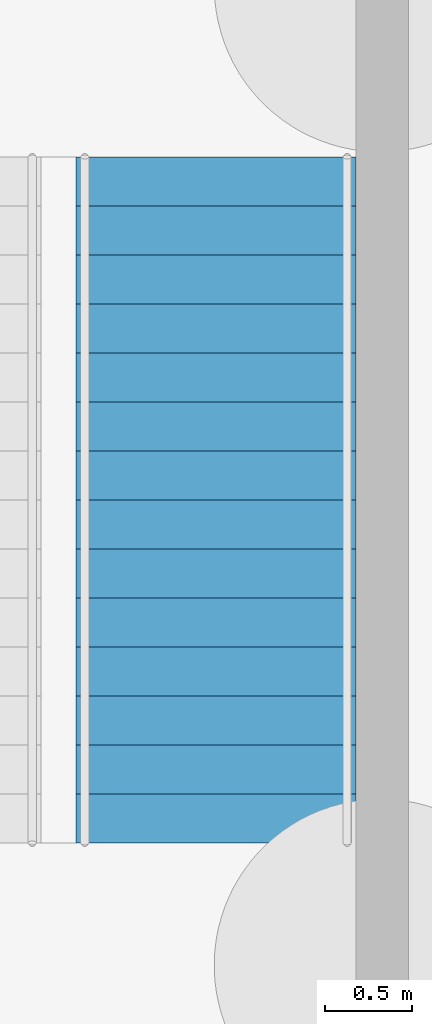
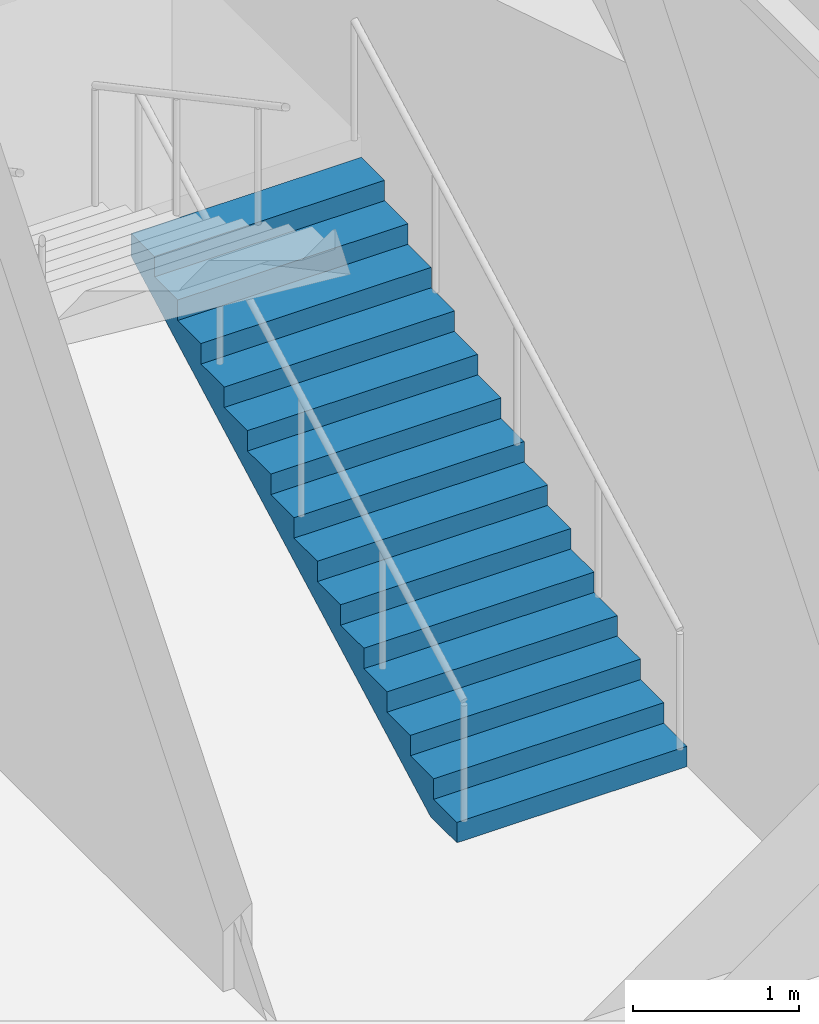
# One storey, part 106 of 113: 1 stair flight, 1 element without a shape of its own.
"""IFC4 building model written with IfcOpenShell, lengths in metres."""

from ifc_helpers import new_model, si_unit, direction, frame, origin, place, context, subcontext, project, spatial, triangles, material, type_object, element, aggregate, save


model = new_model("IFC4")

# Units and contexts
model_context = context("Model", 3, precision=1e-05, world=origin(), true_north=direction((0.0, 1.0)))
body_context = subcontext(model_context, "Body", "Model", "MODEL_VIEW")
ifc_project = project(units=[si_unit("LENGTHUNIT", "METRE"), si_unit("AREAUNIT", "SQUARE_METRE"), si_unit("VOLUMEUNIT", "CUBIC_METRE"), si_unit("PLANEANGLEUNIT", "RADIAN"), si_unit("MASSUNIT", "GRAM", prefix="KILO")], contexts=[model_context])

# Site, building, storey
site_placement = place(None, origin())
site = spatial("IfcSite", under=ifc_project, at=site_placement, CompositionType="ELEMENT")
building_placement = place(site_placement, origin())
building = spatial("IfcBuilding", under=site, at=building_placement, Name="Hakoniwa Tower and Hamabe Station Hall", CompositionType="ELEMENT")
storey_placement = place(building_placement, origin())
storey = spatial("IfcBuildingStorey", under=building, at=storey_placement, Name="L01", CompositionType="ELEMENT", Elevation=0.0)

# Stair, stair flight
ifc_material_1 = material(Name="Concrete C40", Category="concrete")
stair_type = type_object("IfcStairType", Name="STAIR 1600 15X150", PredefinedType="HALF_TURN_STAIR", material=ifc_material_1)
stair_placement = place(storey_placement, origin())
stair = element("IfcStair", 1, at=stair_placement, inside=storey, type_object=stair_type, Name="Escape stair SS2 L01", PredefinedType="HALF_TURN_STAIR")
ifc_material_2 = material(Name="Concrete C40", Category="concrete")
stair_flight_type = type_object("IfcStairFlightType", Name="STAIR FLIGHT 1600", PredefinedType="STRAIGHT", material=ifc_material_2)
stair_flight_placement = place(storey_placement, frame((167.64990234375, 16.89990234375, 0.0), z_axis=(0.0, 0.0, 1.0), x_axis=(0.0, 1.0, 0.0)))
stair_flight = element("IfcStairFlight", 2, at=stair_flight_placement, type_object=stair_flight_type, Name="SS2 flight 1", NumberOfRisers=15, NumberOfTreads=14, PredefinedType="STRAIGHT", RiserHeight=0.15, TreadLength=0.28, context=body_context, shape_type="Tessellation", body=[
    triangles([(0.0, 0.800048828125, 0.0), (0.280029296875, 0.800048828125, 0.0), (0.3173828125, 0.800048828125, 0.0), (0.56005859375, 0.800048828125, 0.1298828125), (0.840087890625, 0.800048828125, 0.280029296875), (1.1201171875, 0.800048828125, 0.429931640625), (1.39990234375, 0.800048828125, 0.579833984375), (1.679931640625, 0.800048828125, 0.72998046875), (1.9599609375, 0.800048828125, 0.8798828125), (2.239990234375, 0.800048828125, 1.030029296875), (2.52001953125, 0.800048828125, 1.179931640625), (2.800048828125, 0.800048828125, 1.329833984375), (3.080078125, 0.800048828125, 1.47998046875), (3.360107421875, 0.800048828125, 1.6298828125), (3.639892578125, 0.800048828125, 1.780029296875), (3.919921875, 0.800048828125, 1.929931640625), (3.919921875, 0.800048828125, 2.10009765625), (3.639892578125, 0.800048828125, 2.10009765625), (3.639892578125, 0.800048828125, 1.949951171875), (3.360107421875, 0.800048828125, 1.949951171875), (3.360107421875, 0.800048828125, 1.800048828125), (3.080078125, 0.800048828125, 1.800048828125), (3.080078125, 0.800048828125, 1.64990234375), (2.800048828125, 0.800048828125, 1.64990234375), (2.800048828125, 0.800048828125, 1.5), (2.52001953125, 0.800048828125, 1.5), (2.52001953125, 0.800048828125, 1.35009765625), (2.239990234375, 0.800048828125, 1.35009765625), (2.239990234375, 0.800048828125, 1.199951171875), (1.9599609375, 0.800048828125, 1.199951171875), (1.9599609375, 0.800048828125, 1.050048828125), (1.679931640625, 0.800048828125, 1.050048828125), (1.679931640625, 0.800048828125, 0.89990234375), (1.39990234375, 0.800048828125, 0.89990234375), (1.39990234375, 0.800048828125, 0.75), (1.1201171875, 0.800048828125, 0.75), (1.1201171875, 0.800048828125, 0.60009765625), (0.840087890625, 0.800048828125, 0.60009765625), (0.840087890625, 0.800048828125, 0.449951171875), (0.56005859375, 0.800048828125, 0.449951171875), (0.56005859375, 0.800048828125, 0.300048828125), (0.3173828125, 0.800048828125, 0.300048828125), (0.280029296875, 0.800048828125, 0.300048828125), (0.280029296875, 0.800048828125, 0.14990234375), (0.0, 0.800048828125, 0.14990234375), (0.0, 0.06005859375, 0.0), (0.280029296875, 0.06005859375, 0.0), (0.3173828125, 0.06005859375, 0.0), (0.56005859375, 0.06005859375, 0.1298828125), (0.840087890625, 0.06005859375, 0.280029296875), (1.1201171875, 0.06005859375, 0.429931640625), (1.39990234375, 0.06005859375, 0.579833984375), (1.679931640625, 0.06005859375, 0.72998046875), (1.9599609375, 0.06005859375, 0.8798828125), (2.239990234375, 0.06005859375, 1.030029296875), (2.52001953125, 0.06005859375, 1.179931640625), (2.800048828125, 0.06005859375, 1.329833984375), (3.080078125, 0.06005859375, 1.47998046875), (3.360107421875, 0.06005859375, 1.6298828125), (3.639892578125, 0.06005859375, 1.780029296875), (3.919921875, 0.06005859375, 1.929931640625), (3.919921875, 0.06005859375, 2.10009765625), (3.639892578125, 0.06005859375, 2.10009765625), (3.639892578125, 0.06005859375, 1.949951171875), (3.360107421875, 0.06005859375, 1.949951171875), (3.360107421875, 0.06005859375, 1.800048828125), (3.080078125, 0.06005859375, 1.800048828125), (3.080078125, 0.06005859375, 1.64990234375), (2.800048828125, 0.06005859375, 1.64990234375), (2.800048828125, 0.06005859375, 1.5), (2.52001953125, 0.06005859375, 1.5), (2.52001953125, 0.06005859375, 1.35009765625), (2.239990234375, 0.06005859375, 1.35009765625), (2.239990234375, 0.06005859375, 1.199951171875), (1.9599609375, 0.06005859375, 1.199951171875), (1.9599609375, 0.06005859375, 1.050048828125), (1.679931640625, 0.06005859375, 1.050048828125), (1.679931640625, 0.06005859375, 0.89990234375), (1.39990234375, 0.06005859375, 0.89990234375), (1.39990234375, 0.06005859375, 0.75), (1.1201171875, 0.06005859375, 0.75), (1.1201171875, 0.06005859375, 0.60009765625), (0.840087890625, 0.06005859375, 0.60009765625), (0.840087890625, 0.06005859375, 0.449951171875), (0.56005859375, 0.06005859375, 0.449951171875), (0.56005859375, 0.06005859375, 0.300048828125), (0.3173828125, 0.06005859375, 0.300048828125), (0.280029296875, 0.06005859375, 0.300048828125), (0.280029296875, 0.06005859375, 0.14990234375), (0.0, 0.06005859375, 0.14990234375), (0.0, 0.02001953125, 0.0), (0.280029296875, 0.02001953125, 0.0), (0.3173828125, 0.02001953125, 0.0), (0.56005859375, 0.02001953125, 0.1298828125), (0.840087890625, 0.02001953125, 0.280029296875), (1.1201171875, 0.02001953125, 0.429931640625), (1.39990234375, 0.02001953125, 0.579833984375), (1.679931640625, 0.02001953125, 0.72998046875), (1.9599609375, 0.02001953125, 0.8798828125), (2.239990234375, 0.02001953125, 1.030029296875), (2.52001953125, 0.02001953125, 1.179931640625), (2.800048828125, 0.02001953125, 1.329833984375), (3.080078125, 0.02001953125, 1.47998046875), (3.360107421875, 0.02001953125, 1.6298828125), (3.639892578125, 0.02001953125, 1.780029296875), (3.919921875, 0.02001953125, 1.929931640625), (3.919921875, 0.02001953125, 2.10009765625), (3.639892578125, 0.02001953125, 2.10009765625), (3.639892578125, 0.02001953125, 1.949951171875), (3.360107421875, 0.02001953125, 1.949951171875), (3.360107421875, 0.02001953125, 1.800048828125), (3.080078125, 0.02001953125, 1.800048828125), (3.080078125, 0.02001953125, 1.64990234375), (2.800048828125, 0.02001953125, 1.64990234375), (2.800048828125, 0.02001953125, 1.5), (2.52001953125, 0.02001953125, 1.5), (2.52001953125, 0.02001953125, 1.35009765625), (2.239990234375, 0.02001953125, 1.35009765625), (2.239990234375, 0.02001953125, 1.199951171875), (1.9599609375, 0.02001953125, 1.199951171875), (1.9599609375, 0.02001953125, 1.050048828125), (1.679931640625, 0.02001953125, 1.050048828125), (1.679931640625, 0.02001953125, 0.89990234375), (1.39990234375, 0.02001953125, 0.89990234375), (1.39990234375, 0.02001953125, 0.75), (1.1201171875, 0.02001953125, 0.75), (1.1201171875, 0.02001953125, 0.60009765625), (0.840087890625, 0.02001953125, 0.60009765625), (0.840087890625, 0.02001953125, 0.449951171875), (0.56005859375, 0.02001953125, 0.449951171875), (0.56005859375, 0.02001953125, 0.300048828125), (0.3173828125, 0.02001953125, 0.300048828125), (0.280029296875, 0.02001953125, 0.300048828125), (0.280029296875, 0.02001953125, 0.14990234375), (0.0, 0.02001953125, 0.14990234375), (0.0, -0.02001953125, 0.0), (0.280029296875, -0.02001953125, 0.0), (0.3173828125, -0.02001953125, 0.0), (0.56005859375, -0.02001953125, 0.1298828125), (0.840087890625, -0.02001953125, 0.280029296875), (1.1201171875, -0.02001953125, 0.429931640625), (1.39990234375, -0.02001953125, 0.579833984375), (1.679931640625, -0.02001953125, 0.72998046875), (1.9599609375, -0.02001953125, 0.8798828125), (2.239990234375, -0.02001953125, 1.030029296875), (2.52001953125, -0.02001953125, 1.179931640625), (2.800048828125, -0.02001953125, 1.329833984375), (3.080078125, -0.02001953125, 1.47998046875), (3.360107421875, -0.02001953125, 1.6298828125), (3.639892578125, -0.02001953125, 1.780029296875), (3.919921875, -0.02001953125, 1.929931640625), (3.919921875, -0.02001953125, 2.10009765625), (3.639892578125, -0.02001953125, 2.10009765625), (3.639892578125, -0.02001953125, 1.949951171875), (3.360107421875, -0.02001953125, 1.949951171875), (3.360107421875, -0.02001953125, 1.800048828125), (3.080078125, -0.02001953125, 1.800048828125), (3.080078125, -0.02001953125, 1.64990234375), (2.800048828125, -0.02001953125, 1.64990234375), (2.800048828125, -0.02001953125, 1.5), (2.52001953125, -0.02001953125, 1.5), (2.52001953125, -0.02001953125, 1.35009765625), (2.239990234375, -0.02001953125, 1.35009765625), (2.239990234375, -0.02001953125, 1.199951171875), (1.9599609375, -0.02001953125, 1.199951171875), (1.9599609375, -0.02001953125, 1.050048828125), (1.679931640625, -0.02001953125, 1.050048828125), (1.679931640625, -0.02001953125, 0.89990234375), (1.39990234375, -0.02001953125, 0.89990234375), (1.39990234375, -0.02001953125, 0.75), (1.1201171875, -0.02001953125, 0.75), (1.1201171875, -0.02001953125, 0.60009765625), (0.840087890625, -0.02001953125, 0.60009765625), (0.840087890625, -0.02001953125, 0.449951171875), (0.56005859375, -0.02001953125, 0.449951171875), (0.56005859375, -0.02001953125, 0.300048828125), (0.3173828125, -0.02001953125, 0.300048828125), (0.280029296875, -0.02001953125, 0.300048828125), (0.280029296875, -0.02001953125, 0.14990234375), (0.0, -0.02001953125, 0.14990234375), (0.0, -0.06005859375, 0.0), (0.280029296875, -0.06005859375, 0.0), (0.3173828125, -0.06005859375, 0.0), (0.56005859375, -0.06005859375, 0.1298828125), (0.840087890625, -0.06005859375, 0.280029296875), (1.1201171875, -0.06005859375, 0.429931640625), (1.39990234375, -0.06005859375, 0.579833984375), (1.679931640625, -0.06005859375, 0.72998046875), (1.9599609375, -0.06005859375, 0.8798828125), (2.239990234375, -0.06005859375, 1.030029296875), (2.52001953125, -0.06005859375, 1.179931640625), (2.800048828125, -0.06005859375, 1.329833984375), (3.080078125, -0.06005859375, 1.47998046875), (3.360107421875, -0.06005859375, 1.6298828125), (3.639892578125, -0.06005859375, 1.780029296875), (3.919921875, -0.06005859375, 1.929931640625), (3.919921875, -0.06005859375, 2.10009765625), (3.639892578125, -0.06005859375, 2.10009765625), (3.639892578125, -0.06005859375, 1.949951171875), (3.360107421875, -0.06005859375, 1.949951171875), (3.360107421875, -0.06005859375, 1.800048828125), (3.080078125, -0.06005859375, 1.800048828125), (3.080078125, -0.06005859375, 1.64990234375), (2.800048828125, -0.06005859375, 1.64990234375), (2.800048828125, -0.06005859375, 1.5), (2.52001953125, -0.06005859375, 1.5), (2.52001953125, -0.06005859375, 1.35009765625), (2.239990234375, -0.06005859375, 1.35009765625), (2.239990234375, -0.06005859375, 1.199951171875), (1.9599609375, -0.06005859375, 1.199951171875), (1.9599609375, -0.06005859375, 1.050048828125), (1.679931640625, -0.06005859375, 1.050048828125), (1.679931640625, -0.06005859375, 0.89990234375), (1.39990234375, -0.06005859375, 0.89990234375), (1.39990234375, -0.06005859375, 0.75), (1.1201171875, -0.06005859375, 0.75), (1.1201171875, -0.06005859375, 0.60009765625), (0.840087890625, -0.06005859375, 0.60009765625), (0.840087890625, -0.06005859375, 0.449951171875), (0.56005859375, -0.06005859375, 0.449951171875), (0.56005859375, -0.06005859375, 0.300048828125), (0.3173828125, -0.06005859375, 0.300048828125), (0.280029296875, -0.06005859375, 0.300048828125), (0.280029296875, -0.06005859375, 0.14990234375), (0.0, -0.06005859375, 0.14990234375), (0.0, -0.800048828125, 0.0), (0.280029296875, -0.800048828125, 0.0), (0.3173828125, -0.800048828125, 0.0), (0.56005859375, -0.800048828125, 0.1298828125), (0.840087890625, -0.800048828125, 0.280029296875), (1.1201171875, -0.800048828125, 0.429931640625), (1.39990234375, -0.800048828125, 0.579833984375), (1.679931640625, -0.800048828125, 0.72998046875), (1.9599609375, -0.800048828125, 0.8798828125), (2.239990234375, -0.800048828125, 1.030029296875), (2.52001953125, -0.800048828125, 1.179931640625), (2.800048828125, -0.800048828125, 1.329833984375), (3.080078125, -0.800048828125, 1.47998046875), (3.360107421875, -0.800048828125, 1.6298828125), (3.639892578125, -0.800048828125, 1.780029296875), (3.919921875, -0.800048828125, 1.929931640625), (3.919921875, -0.800048828125, 2.10009765625), (3.639892578125, -0.800048828125, 2.10009765625), (3.639892578125, -0.800048828125, 1.949951171875), (3.360107421875, -0.800048828125, 1.949951171875), (3.360107421875, -0.800048828125, 1.800048828125), (3.080078125, -0.800048828125, 1.800048828125), (3.080078125, -0.800048828125, 1.64990234375), (2.800048828125, -0.800048828125, 1.64990234375), (2.800048828125, -0.800048828125, 1.5), (2.52001953125, -0.800048828125, 1.5), (2.52001953125, -0.800048828125, 1.35009765625), (2.239990234375, -0.800048828125, 1.35009765625), (2.239990234375, -0.800048828125, 1.199951171875), (1.9599609375, -0.800048828125, 1.199951171875), (1.9599609375, -0.800048828125, 1.050048828125), (1.679931640625, -0.800048828125, 1.050048828125), (1.679931640625, -0.800048828125, 0.89990234375), (1.39990234375, -0.800048828125, 0.89990234375), (1.39990234375, -0.800048828125, 0.75), (1.1201171875, -0.800048828125, 0.75), (1.1201171875, -0.800048828125, 0.60009765625), (0.840087890625, -0.800048828125, 0.60009765625), (0.840087890625, -0.800048828125, 0.449951171875), (0.56005859375, -0.800048828125, 0.449951171875), (0.56005859375, -0.800048828125, 0.300048828125), (0.3173828125, -0.800048828125, 0.300048828125), (0.280029296875, -0.800048828125, 0.300048828125), (0.280029296875, -0.800048828125, 0.14990234375), (0.0, -0.800048828125, 0.14990234375)], [[2, 45, 44], [227, 269, 270], [2, 1, 45], [227, 270, 226], [3, 43, 42], [228, 267, 268], [3, 44, 43], [228, 268, 269], [3, 2, 44], [228, 269, 227], [4, 42, 41], [229, 266, 267], [4, 3, 42], [229, 267, 228], [5, 40, 39], [230, 264, 265], [5, 41, 40], [230, 265, 266], [5, 4, 41], [230, 266, 229], [6, 38, 37], [231, 262, 263], [6, 39, 38], [231, 263, 264], [6, 5, 39], [231, 264, 230], [7, 36, 35], [232, 260, 261], [7, 37, 36], [232, 261, 262], [7, 6, 37], [232, 262, 231], [8, 34, 33], [233, 258, 259], [8, 35, 34], [233, 259, 260], [8, 7, 35], [233, 260, 232], [9, 32, 31], [234, 256, 257], [9, 33, 32], [234, 257, 258], [9, 8, 33], [234, 258, 233], [10, 30, 29], [235, 254, 255], [10, 31, 30], [235, 255, 256], [10, 9, 31], [235, 256, 234], [11, 28, 27], [236, 252, 253], [11, 29, 28], [236, 253, 254], [11, 10, 29], [236, 254, 235], [12, 26, 25], [237, 250, 251], [12, 27, 26], [237, 251, 252], [12, 11, 27], [237, 252, 236], [13, 24, 23], [238, 248, 249], [13, 25, 24], [238, 249, 250], [13, 12, 25], [238, 250, 237], [14, 22, 21], [239, 246, 247], [14, 23, 22], [239, 247, 248], [14, 13, 23], [239, 248, 238], [15, 20, 19], [240, 244, 245], [15, 21, 20], [240, 245, 246], [15, 14, 21], [240, 246, 239], [16, 18, 17], [241, 242, 243], [16, 19, 18], [241, 243, 244], [16, 15, 19], [241, 244, 240], [1, 2, 47], [1, 47, 46], [46, 47, 92], [46, 92, 91], [91, 92, 137], [91, 137, 136], [136, 137, 182], [136, 182, 181], [181, 182, 227], [181, 227, 226], [2, 3, 48], [2, 48, 47], [47, 48, 93], [47, 93, 92], [92, 93, 138], [92, 138, 137], [137, 138, 183], [137, 183, 182], [182, 183, 228], [182, 228, 227], [3, 4, 49], [3, 49, 48], [48, 49, 94], [48, 94, 93], [93, 94, 139], [93, 139, 138], [138, 139, 184], [138, 184, 183], [183, 184, 229], [183, 229, 228], [4, 5, 50], [4, 50, 49], [49, 50, 95], [49, 95, 94], [94, 95, 140], [94, 140, 139], [139, 140, 185], [139, 185, 184], [184, 185, 230], [184, 230, 229], [5, 6, 51], [5, 51, 50], [50, 51, 96], [50, 96, 95], [95, 96, 141], [95, 141, 140], [140, 141, 186], [140, 186, 185], [185, 186, 231], [185, 231, 230], [6, 7, 52], [6, 52, 51], [51, 52, 97], [51, 97, 96], [96, 97, 142], [96, 142, 141], [141, 142, 187], [141, 187, 186], [186, 187, 232], [186, 232, 231], [7, 8, 53], [7, 53, 52], [52, 53, 98], [52, 98, 97], [97, 98, 143], [97, 143, 142], [142, 143, 188], [142, 188, 187], [187, 188, 233], [187, 233, 232], [8, 9, 54], [8, 54, 53], [53, 54, 99], [53, 99, 98], [98, 99, 144], [98, 144, 143], [143, 144, 189], [143, 189, 188], [188, 189, 234], [188, 234, 233], [9, 10, 55], [9, 55, 54], [54, 55, 100], [54, 100, 99], [99, 100, 145], [99, 145, 144], [144, 145, 190], [144, 190, 189], [189, 190, 235], [189, 235, 234], [10, 11, 56], [10, 56, 55], [55, 56, 101], [55, 101, 100], [100, 101, 146], [100, 146, 145], [145, 146, 191], [145, 191, 190], [190, 191, 236], [190, 236, 235], [11, 12, 57], [11, 57, 56], [56, 57, 102], [56, 102, 101], [101, 102, 147], [101, 147, 146], [146, 147, 192], [146, 192, 191], [191, 192, 237], [191, 237, 236], [12, 13, 58], [12, 58, 57], [57, 58, 103], [57, 103, 102], [102, 103, 148], [102, 148, 147], [147, 148, 193], [147, 193, 192], [192, 193, 238], [192, 238, 237], [13, 14, 59], [13, 59, 58], [58, 59, 104], [58, 104, 103], [103, 104, 149], [103, 149, 148], [148, 149, 194], [148, 194, 193], [193, 194, 239], [193, 239, 238], [14, 15, 60], [14, 60, 59], [59, 60, 105], [59, 105, 104], [104, 105, 150], [104, 150, 149], [149, 150, 195], [149, 195, 194], [194, 195, 240], [194, 240, 239], [15, 16, 61], [15, 61, 60], [60, 61, 106], [60, 106, 105], [105, 106, 151], [105, 151, 150], [150, 151, 196], [150, 196, 195], [195, 196, 241], [195, 241, 240], [16, 17, 62], [16, 62, 61], [61, 62, 107], [61, 107, 106], [106, 107, 152], [106, 152, 151], [151, 152, 197], [151, 197, 196], [196, 197, 242], [196, 242, 241], [17, 18, 63], [17, 63, 62], [62, 63, 108], [62, 108, 107], [107, 108, 153], [107, 153, 152], [152, 153, 198], [152, 198, 197], [197, 198, 243], [197, 243, 242], [18, 19, 64], [18, 64, 63], [63, 64, 109], [63, 109, 108], [108, 109, 154], [108, 154, 153], [153, 154, 199], [153, 199, 198], [198, 199, 244], [198, 244, 243], [19, 20, 65], [19, 65, 64], [64, 65, 110], [64, 110, 109], [109, 110, 155], [109, 155, 154], [154, 155, 200], [154, 200, 199], [199, 200, 245], [199, 245, 244], [20, 21, 66], [20, 66, 65], [65, 66, 111], [65, 111, 110], [110, 111, 156], [110, 156, 155], [155, 156, 201], [155, 201, 200], [200, 201, 246], [200, 246, 245], [21, 22, 67], [21, 67, 66], [66, 67, 112], [66, 112, 111], [111, 112, 157], [111, 157, 156], [156, 157, 202], [156, 202, 201], [201, 202, 247], [201, 247, 246], [22, 23, 68], [22, 68, 67], [67, 68, 113], [67, 113, 112], [112, 113, 158], [112, 158, 157], [157, 158, 203], [157, 203, 202], [202, 203, 248], [202, 248, 247], [23, 24, 69], [23, 69, 68], [68, 69, 114], [68, 114, 113], [113, 114, 159], [113, 159, 158], [158, 159, 204], [158, 204, 203], [203, 204, 249], [203, 249, 248], [24, 25, 70], [24, 70, 69], [69, 70, 115], [69, 115, 114], [114, 115, 160], [114, 160, 159], [159, 160, 205], [159, 205, 204], [204, 205, 250], [204, 250, 249], [25, 26, 71], [25, 71, 70], [70, 71, 116], [70, 116, 115], [115, 116, 161], [115, 161, 160], [160, 161, 206], [160, 206, 205], [205, 206, 251], [205, 251, 250], [26, 27, 72], [26, 72, 71], [71, 72, 117], [71, 117, 116], [116, 117, 162], [116, 162, 161], [161, 162, 207], [161, 207, 206], [206, 207, 252], [206, 252, 251], [27, 28, 73], [27, 73, 72], [72, 73, 118], [72, 118, 117], [117, 118, 163], [117, 163, 162], [162, 163, 208], [162, 208, 207], [207, 208, 253], [207, 253, 252], [28, 29, 74], [28, 74, 73], [73, 74, 119], [73, 119, 118], [118, 119, 164], [118, 164, 163], [163, 164, 209], [163, 209, 208], [208, 209, 254], [208, 254, 253], [29, 30, 75], [29, 75, 74], [74, 75, 120], [74, 120, 119], [119, 120, 165], [119, 165, 164], [164, 165, 210], [164, 210, 209], [209, 210, 255], [209, 255, 254], [30, 31, 76], [30, 76, 75], [75, 76, 121], [75, 121, 120], [120, 121, 166], [120, 166, 165], [165, 166, 211], [165, 211, 210], [210, 211, 256], [210, 256, 255], [31, 32, 77], [31, 77, 76], [76, 77, 122], [76, 122, 121], [121, 122, 167], [121, 167, 166], [166, 167, 212], [166, 212, 211], [211, 212, 257], [211, 257, 256], [32, 33, 78], [32, 78, 77], [77, 78, 123], [77, 123, 122], [122, 123, 168], [122, 168, 167], [167, 168, 213], [167, 213, 212], [212, 213, 258], [212, 258, 257], [33, 34, 79], [33, 79, 78], [78, 79, 124], [78, 124, 123], [123, 124, 169], [123, 169, 168], [168, 169, 214], [168, 214, 213], [213, 214, 259], [213, 259, 258], [34, 35, 80], [34, 80, 79], [79, 80, 125], [79, 125, 124], [124, 125, 170], [124, 170, 169], [169, 170, 215], [169, 215, 214], [214, 215, 260], [214, 260, 259], [35, 36, 81], [35, 81, 80], [80, 81, 126], [80, 126, 125], [125, 126, 171], [125, 171, 170], [170, 171, 216], [170, 216, 215], [215, 216, 261], [215, 261, 260], [36, 37, 82], [36, 82, 81], [81, 82, 127], [81, 127, 126], [126, 127, 172], [126, 172, 171], [171, 172, 217], [171, 217, 216], [216, 217, 262], [216, 262, 261], [37, 38, 83], [37, 83, 82], [82, 83, 128], [82, 128, 127], [127, 128, 173], [127, 173, 172], [172, 173, 218], [172, 218, 217], [217, 218, 263], [217, 263, 262], [38, 39, 84], [38, 84, 83], [83, 84, 129], [83, 129, 128], [128, 129, 174], [128, 174, 173], [173, 174, 219], [173, 219, 218], [218, 219, 264], [218, 264, 263], [39, 40, 85], [39, 85, 84], [84, 85, 130], [84, 130, 129], [129, 130, 175], [129, 175, 174], [174, 175, 220], [174, 220, 219], [219, 220, 265], [219, 265, 264], [40, 41, 86], [40, 86, 85], [85, 86, 131], [85, 131, 130], [130, 131, 176], [130, 176, 175], [175, 176, 221], [175, 221, 220], [220, 221, 266], [220, 266, 265], [41, 42, 87], [41, 87, 86], [86, 87, 132], [86, 132, 131], [131, 132, 177], [131, 177, 176], [176, 177, 222], [176, 222, 221], [221, 222, 267], [221, 267, 266], [42, 43, 88], [42, 88, 87], [87, 88, 133], [87, 133, 132], [132, 133, 178], [132, 178, 177], [177, 178, 223], [177, 223, 222], [222, 223, 268], [222, 268, 267], [43, 44, 89], [43, 89, 88], [88, 89, 134], [88, 134, 133], [133, 134, 179], [133, 179, 178], [178, 179, 224], [178, 224, 223], [223, 224, 269], [223, 269, 268], [44, 45, 90], [44, 90, 89], [89, 90, 135], [89, 135, 134], [134, 135, 180], [134, 180, 179], [179, 180, 225], [179, 225, 224], [224, 225, 270], [224, 270, 269], [45, 1, 46], [45, 46, 90], [90, 46, 91], [90, 91, 135], [135, 91, 136], [135, 136, 180], [180, 136, 181], [180, 181, 225], [225, 181, 226], [225, 226, 270]], closed=True),
])
aggregate(stair, [stair_flight])

save(model, "model.ifc")
